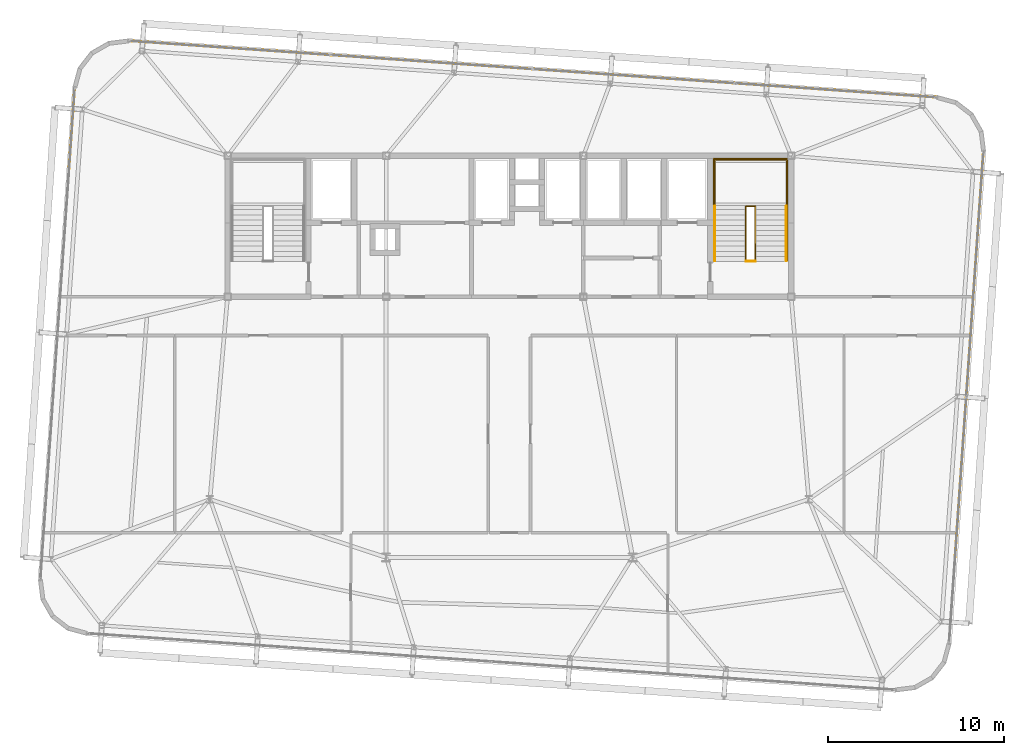
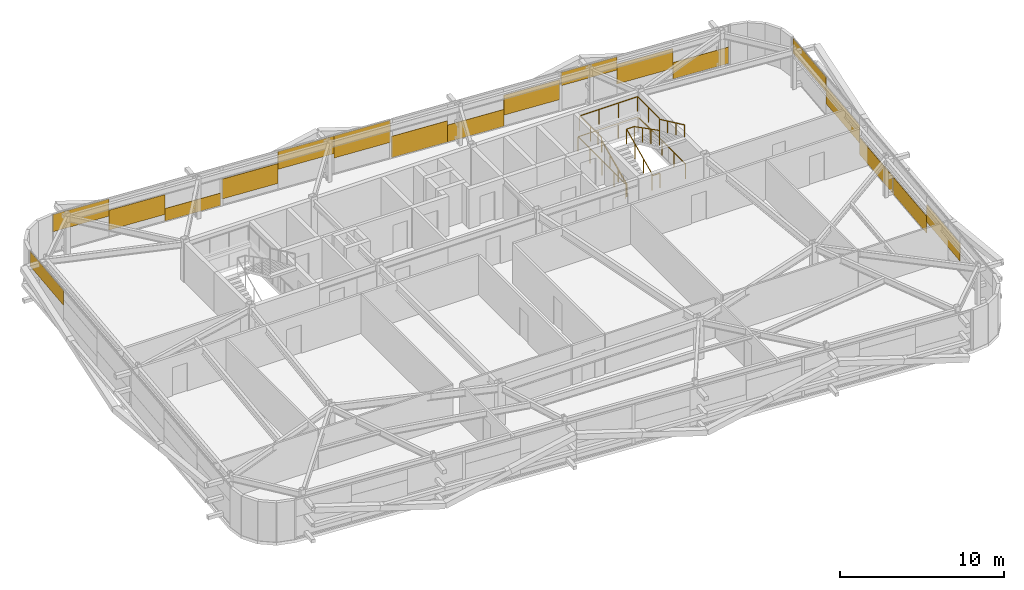
# One storey, part 39 of 39: 18 coverings, 6 railings.
"""IFC4 building model written with IfcOpenShell, lengths in metres."""

from ifc_helpers import new_model, si_unit, direction, frame, origin, origin_2d, place, context, subcontext, project, spatial, rectangle, extrude, source, transform, mapped, material, layer, layer_set, type_object, element, save


model = new_model("IFC4")

# Units and contexts
model_context = context("Model", 3, precision=1e-05, world=origin(), true_north=direction((0.0, 1.0)))
body_context = subcontext(model_context, "Body", "Model", "MODEL_VIEW")
ifc_project = project(units=[si_unit("LENGTHUNIT", "METRE"), si_unit("AREAUNIT", "SQUARE_METRE"), si_unit("VOLUMEUNIT", "CUBIC_METRE"), si_unit("PLANEANGLEUNIT", "RADIAN"), si_unit("MASSUNIT", "GRAM", prefix="KILO")], contexts=[model_context])

# Site, building, storey
site_placement = place(None, origin())
site = spatial("IfcSite", under=ifc_project, at=site_placement, CompositionType="ELEMENT")
building_placement = place(site_placement, origin())
building = spatial("IfcBuilding", under=site, at=building_placement, Name="Taldren Reach Tower", CompositionType="ELEMENT")
storey_placement = place(building_placement, frame((0.0, 0.0, 129.85009765625)))
storey = spatial("IfcBuildingStorey", under=building, at=storey_placement, Name="L39", CompositionType="ELEMENT", Elevation=129.85009765625)

# Railings
ifc_material_1 = material(Name="Steel Gr 350 (C350L0)", Category="steel")
ifc_layer_1 = layer(ifc_material_1, 0.050048828125)
ifc_layer_set_1 = layer_set([ifc_layer_1], Name="Steel Gr 350 (C350L0)")
railing_type_1 = type_object("IfcRailingType", Name="RL-STAIR-GR", PredefinedType="GUARDRAIL", material=ifc_layer_set_1)
railing_1_placement = place(storey_placement, frame((46.659912109375, 29.135009765625, 1.574951171875)))
element("IfcRailing", 1, at=railing_1_placement, inside=storey, type_object=railing_type_1, Name="Stair half-landing perimeter guard ST2-L39", PredefinedType="GUARDRAIL", context=body_context, shape_type="SweptSolid", body=[
    extrude(rectangle(XDim=0.047852, YDim=0.047852, at=origin_2d()), frame((0.0, 0.0, 1.09619140625), z_axis=(0.0, 1.0, 0.0), x_axis=(-1.0, 0.0, 0.0)), (0.0, 0.0, 1.0), 2.64501953125),
    extrude(rectangle(XDim=0.047852, YDim=0.047852, at=origin_2d()), frame((0.0, 2.64501953125, 1.09619140625), z_axis=(1.0, 0.0, 0.0), x_axis=(0.0, 1.0, 0.0)), (0.0, 0.0, 1.0), 4.080078125),
    extrude(rectangle(XDim=0.047852, YDim=0.047852, at=origin_2d()), frame((4.080078125, 2.64501953125, 1.09619140625), z_axis=(0.0, -1.0, 0.0), x_axis=(1.0, 0.0, 0.0)), (0.0, 0.0, 1.0), 2.64501953125),
    extrude(rectangle(XDim=0.041992, YDim=0.041992, at=origin_2d()), origin(), (0.0, 0.0, 1.0), 1.072021484375),
    extrude(rectangle(XDim=0.041992, YDim=0.041992, at=origin_2d()), frame((0.0, 1.322509765625, 0.0)), (0.0, 0.0, 1.0), 1.072021484375),
    extrude(rectangle(XDim=0.041992, YDim=0.041992, at=origin_2d()), frame((0.0, 2.64501953125, 0.0)), (0.0, 0.0, 1.0), 1.072021484375),
    extrude(rectangle(XDim=0.041992, YDim=0.041992, at=origin_2d()), frame((1.360107421875, 2.64501953125, 0.0)), (0.0, 0.0, 1.0), 1.072021484375),
    extrude(rectangle(XDim=0.041992, YDim=0.041992, at=origin_2d()), frame((2.719970703125, 2.64501953125, 0.0)), (0.0, 0.0, 1.0), 1.072021484375),
    extrude(rectangle(XDim=0.041992, YDim=0.041992, at=origin_2d()), frame((4.080078125, 2.64501953125, 0.0)), (0.0, 0.0, 1.0), 1.072021484375),
    extrude(rectangle(XDim=0.041992, YDim=0.041992, at=origin_2d()), frame((4.080078125, 1.322509765625, 0.0)), (0.0, 0.0, 1.0), 1.072021484375),
    extrude(rectangle(XDim=0.041992, YDim=0.041992, at=origin_2d()), frame((4.080078125, 0.0, 0.0)), (0.0, 0.0, 1.0), 1.072021484375),
])
railing_2_placement = place(storey_placement, frame((48.429931640625, 26.050048828125, 0.131103515625)))
element("IfcRailing", 2, at=railing_2_placement, inside=storey, type_object=railing_type_1, Name="Stairwell inner guard ST2-L39", PredefinedType="GUARDRAIL", context=body_context, shape_type="SweptSolid", body=[
    extrude(rectangle(XDim=0.047852, YDim=0.047852, at=origin_2d()), frame((0.0, 0.0, 1.09619140625), z_axis=(0.0, 0.905710134349, 0.423897573167), x_axis=(-1.0, 0.0, 0.0)), (0.0, 0.0, 1.0), 3.406005859375),
    extrude(rectangle(XDim=0.047852, YDim=0.047852, at=origin_2d()), frame((0.0, 3.0849609375, 2.5400390625), z_axis=(1.0, 0.0, 0.0), x_axis=(0.0, 1.0, 0.0)), (0.0, 0.0, 1.0), 0.5400390625),
    extrude(rectangle(XDim=0.047852, YDim=0.047852, at=origin_2d()), frame((0.5400390625, 3.0849609375, 2.5400390625), z_axis=(0.0, -0.890645957773, 0.45469745755), x_axis=(1.0, 0.0, 0.0)), (0.0, 0.0, 1.0), 3.463623046875),
    extrude(rectangle(XDim=0.041992, YDim=0.041992, at=origin_2d()), origin(), (0.0, 0.0, 1.0), 1.072021484375),
    extrude(rectangle(XDim=0.041992, YDim=0.041992, at=origin_2d()), frame((0.0, 1.0283203125, 0.481201171875)), (0.0, 0.0, 1.0), 1.072021484375),
    extrude(rectangle(XDim=0.041992, YDim=0.041992, at=origin_2d()), frame((0.0, 2.056640625, 0.962646484375)), (0.0, 0.0, 1.0), 1.072021484375),
    extrude(rectangle(XDim=0.041992, YDim=0.041992, at=origin_2d()), frame((0.0, 3.0849609375, 1.44384765625)), (0.0, 0.0, 1.0), 1.072021484375),
    extrude(rectangle(XDim=0.041992, YDim=0.041992, at=origin_2d()), frame((0.5400390625, 3.0849609375, 1.44384765625)), (0.0, 0.0, 1.0), 1.072021484375),
    extrude(rectangle(XDim=0.041992, YDim=0.041992, at=origin_2d()), frame((0.5400390625, 2.056640625, 1.96875)), (0.0, 0.0, 1.0), 1.072021484375),
    extrude(rectangle(XDim=0.041992, YDim=0.041992, at=origin_2d()), frame((0.5400390625, 1.0283203125, 2.493896484375)), (0.0, 0.0, 1.0), 1.072021484375),
    extrude(rectangle(XDim=0.041992, YDim=0.041992, at=origin_2d()), frame((0.5400390625, 0.0, 3.018798828125)), (0.0, 0.0, 1.0), 1.072021484375),
])
railing_3_placement = place(storey_placement, frame((48.429931640625, 26.010009765625, 0.0)))
element("IfcRailing", 3, at=railing_3_placement, inside=storey, type_object=railing_type_1, Name="Stairwell landing slot guard ST2-L39", PredefinedType="GUARDRAIL", context=body_context, shape_type="SweptSolid", body=[
    extrude(rectangle(XDim=0.047852, YDim=0.047852, at=origin_2d()), frame((0.0, 0.0, 1.09619140625), z_axis=(1.0, 0.0, 0.0), x_axis=(0.0, 1.0, 0.0)), (0.0, 0.0, 1.0), 0.5400390625),
    extrude(rectangle(XDim=0.041992, YDim=0.041992, at=origin_2d()), origin(), (0.0, 0.0, 1.0), 1.072021484375),
    extrude(rectangle(XDim=0.041992, YDim=0.041992, at=origin_2d()), frame((0.5400390625, 0.0, 0.0)), (0.0, 0.0, 1.0), 1.072021484375),
])
railing_4_placement = place(storey_placement, frame((46.590087890625, 26.050048828125, 0.0)))
element("IfcRailing", 4, at=railing_4_placement, inside=storey, type_object=railing_type_1, Name="Stairwell floor opening guard ST2-L39", PredefinedType="GUARDRAIL", context=body_context, shape_type="SweptSolid", body=[
    extrude(rectangle(XDim=0.047852, YDim=0.047852, at=origin_2d()), frame((0.0, 0.0, 1.09619140625), z_axis=(0.0, 1.0, 0.0), x_axis=(-1.0, 0.0, 0.0)), (0.0, 0.0, 1.0), 5.800048828125),
    extrude(rectangle(XDim=0.047852, YDim=0.047852, at=origin_2d()), frame((0.0, 5.800048828125, 1.09619140625), z_axis=(1.0, 0.0, 0.0), x_axis=(0.0, 1.0, 0.0)), (0.0, 0.0, 1.0), 4.219970703125),
    extrude(rectangle(XDim=0.047852, YDim=0.047852, at=origin_2d()), frame((4.219970703125, 5.800048828125, 1.09619140625), z_axis=(0.0, -1.0, 0.0), x_axis=(1.0, 0.0, 0.0)), (0.0, 0.0, 1.0), 5.800048828125),
    extrude(rectangle(XDim=0.041992, YDim=0.041992, at=origin_2d()), origin(), (0.0, 0.0, 1.0), 1.072021484375),
    extrude(rectangle(XDim=0.041992, YDim=0.041992, at=origin_2d()), frame((0.0, 1.449951171875, 0.0)), (0.0, 0.0, 1.0), 1.072021484375),
    extrude(rectangle(XDim=0.041992, YDim=0.041992, at=origin_2d()), frame((0.0, 2.89990234375, 0.0)), (0.0, 0.0, 1.0), 1.072021484375),
    extrude(rectangle(XDim=0.041992, YDim=0.041992, at=origin_2d()), frame((0.0, 4.35009765625, 0.0)), (0.0, 0.0, 1.0), 1.072021484375),
    extrude(rectangle(XDim=0.041992, YDim=0.041992, at=origin_2d()), frame((0.0, 5.800048828125, 0.0)), (0.0, 0.0, 1.0), 1.072021484375),
    extrude(rectangle(XDim=0.041992, YDim=0.041992, at=origin_2d()), frame((1.40673828125, 5.800048828125, 0.0)), (0.0, 0.0, 1.0), 1.072021484375),
    extrude(rectangle(XDim=0.041992, YDim=0.041992, at=origin_2d()), frame((2.813232421875, 5.800048828125, 0.0)), (0.0, 0.0, 1.0), 1.072021484375),
    extrude(rectangle(XDim=0.041992, YDim=0.041992, at=origin_2d()), frame((4.219970703125, 5.800048828125, 0.0)), (0.0, 0.0, 1.0), 1.072021484375),
    extrude(rectangle(XDim=0.041992, YDim=0.041992, at=origin_2d()), frame((4.219970703125, 4.35009765625, 0.0)), (0.0, 0.0, 1.0), 1.072021484375),
    extrude(rectangle(XDim=0.041992, YDim=0.041992, at=origin_2d()), frame((4.219970703125, 2.89990234375, 0.0)), (0.0, 0.0, 1.0), 1.072021484375),
    extrude(rectangle(XDim=0.041992, YDim=0.041992, at=origin_2d()), frame((4.219970703125, 1.449951171875, 0.0)), (0.0, 0.0, 1.0), 1.072021484375),
    extrude(rectangle(XDim=0.041992, YDim=0.041992, at=origin_2d()), frame((4.219970703125, 0.0, 0.0)), (0.0, 0.0, 1.0), 1.072021484375),
])
ifc_material_2 = material(Name="Stainless Steel Gr 316", Category="steel")
ifc_layer_2 = layer(ifc_material_2, 0.048095703125)
ifc_layer_set_2 = layer_set([ifc_layer_2], Name="Stainless Steel Gr 316")
railing_type_2 = type_object("IfcRailingType", Name="RL-STAIR-HR", PredefinedType="HANDRAIL", material=ifc_layer_set_2)
railing_5_placement = place(storey_placement, frame((46.669921875, 26.050048828125, 0.131103515625)))
element("IfcRailing", 5, at=railing_5_placement, inside=storey, type_object=railing_type_2, Name="Stair flight handrail ST2-L39-1", PredefinedType="HANDRAIL", context=body_context, shape_type="SweptSolid", body=[
    extrude(rectangle(XDim=0.047852, YDim=0.047852, at=origin_2d()), frame((0.0, 0.0, 0.89599609375), z_axis=(0.0, 0.905710134349, 0.423897573167), x_axis=(-1.0, 0.0, 0.0)), (0.0, 0.0, 1.0), 3.406005859375),
    extrude(rectangle(XDim=0.041992, YDim=0.041992, at=origin_2d()), origin(), (0.0, 0.0, 1.0), 0.871826171875),
    extrude(rectangle(XDim=0.041992, YDim=0.041992, at=origin_2d()), frame((0.0, 1.0283203125, 0.481201171875)), (0.0, 0.0, 1.0), 0.871826171875),
    extrude(rectangle(XDim=0.041992, YDim=0.041992, at=origin_2d()), frame((0.0, 2.056640625, 0.962646484375)), (0.0, 0.0, 1.0), 0.871826171875),
    extrude(rectangle(XDim=0.041992, YDim=0.041992, at=origin_2d()), frame((0.0, 3.0849609375, 1.44384765625)), (0.0, 0.0, 1.0), 0.871826171875),
])
railing_6_placement = place(storey_placement, frame((50.72998046875, 29.135009765625, 1.706298828125)))
element("IfcRailing", 6, at=railing_6_placement, inside=storey, type_object=railing_type_2, Name="Stair flight handrail ST2-L39-2", PredefinedType="HANDRAIL", context=body_context, shape_type="SweptSolid", body=[
    extrude(rectangle(XDim=0.047852, YDim=0.047852, at=origin_2d()), frame((0.0, 0.0, 0.89599609375), z_axis=(0.0, -0.905737652094, 0.423838773095), x_axis=(1.0, 0.0, 0.0)), (0.0, 0.0, 1.0), 3.406005859375),
    extrude(rectangle(XDim=0.041992, YDim=0.041992, at=origin_2d()), origin(), (0.0, 0.0, 1.0), 0.871826171875),
    extrude(rectangle(XDim=0.041992, YDim=0.041992, at=origin_2d()), frame((0.0, -1.0283203125, 0.481201171875)), (0.0, 0.0, 1.0), 0.871826171875),
    extrude(rectangle(XDim=0.041992, YDim=0.041992, at=origin_2d()), frame((0.0, -2.056640625, 0.96240234375)), (0.0, 0.0, 1.0), 0.871826171875),
    extrude(rectangle(XDim=0.041992, YDim=0.041992, at=origin_2d()), frame((0.0, -3.0849609375, 1.443603515625)), (0.0, 0.0, 1.0), 0.871826171875),
])

# Coverings
ifc_material_3 = material(Name="Pale Champagne Fluoropolymer Aluminium Spandrel Cladding", Category="aluminium")
ifc_layer_3 = layer(ifc_material_3, 0.0439453125)
ifc_layer_set_3 = layer_set([ifc_layer_3], Name="Pale Champagne Fluoropolymer Aluminium Spandrel Cladding")
covering_type = type_object("IfcCoveringType", Name="CV-CLAD-044", PredefinedType="CLADDING", material=ifc_layer_set_3)
shared_shape_1 = source(origin(), body_context, "Body", "SweptSolid", [
    extrude(rectangle(XDim=3.79833984375, YDim=0.0439453125, at=origin_2d()), origin(), (0.0, 0.0, 1.0), 1.22216796875),
])
covering_1_placement = place(storey_placement, frame((57.3056640625, 35.451904296875, 0.054931640625), z_axis=(0.0, 0.0, 1.0), x_axis=(-0.99756404731, 0.06975651593, 0.0)))
element("IfcCovering", 7, at=covering_1_placement, inside=storey, type_object=covering_type, Name="Diagrid closure cladding strip CW-4 panel 1.1 1", PredefinedType="CLADDING", context=body_context, shape_type="MappedRepresentation", body=[
    mapped(shared_shape_1, transform((0.0, 0.0, 0.0), scale=1.0)),
])
shared_shape_2 = source(origin(), body_context, "Body", "SweptSolid", [
    extrude(rectangle(XDim=3.79833984375, YDim=0.0439453125, at=origin_2d()), origin(), (0.0, 0.0, 1.0), 1.474365234375),
])
for number, where, z_axis, x_axis, name in (
    (8, (53.5166015625, 35.716796875, 0.84228515625), (0.0, 0.0, 1.0), (-0.99756404731, 0.06975651593, 0.0), "Diagrid closure cladding strip CW-4 panel 1.1 2"),
    (9, (19.135498046875, 38.12109375, 0.55322265625), (0.0, 0.0, 1.0), (-0.99756404731, 0.06975651593, 0.0), "Diagrid closure cladding strip CW-4 panel 4.1 2"),
):
    element("IfcCovering", number, at=place(storey_placement, frame(where, z_axis=z_axis, x_axis=x_axis)), inside=storey, type_object=covering_type, Name=name, PredefinedType="CLADDING", context=body_context, shape_type="MappedRepresentation", body=[
        mapped(shared_shape_2, transform((0.0, 0.0, 0.0), scale=1.0)),
    ])
shared_shape_3 = source(origin(), body_context, "Body", "SweptSolid", [
    extrude(rectangle(XDim=3.79833984375, YDim=0.0439453125, at=origin_2d()), origin(), (0.0, 0.0, 1.0), 0.993408203125),
])
covering_2_placement = place(storey_placement, frame((49.7275390625, 35.981689453125, 1.88134765625), z_axis=(0.0, 0.0, 1.0), x_axis=(-0.99756404731, 0.06975651593, 0.0)))
element("IfcCovering", 10, at=covering_2_placement, inside=storey, type_object=covering_type, Name="Diagrid closure cladding strip CW-4 panel 1.1 3", PredefinedType="CLADDING", context=body_context, shape_type="MappedRepresentation", body=[
    mapped(shared_shape_3, transform((0.0, 0.0, 0.0), scale=1.0)),
])
shared_shape_4 = source(origin(), body_context, "Body", "SweptSolid", [
    extrude(rectangle(XDim=3.81005859375, YDim=0.0439453125, at=origin_2d()), origin(), (0.0, 0.0, 1.0), 1.477783203125),
])
for number, where, z_axis, x_axis, name in (
    (11, (45.86279296875, 36.251953125, 0.88232421875), (0.0, 0.0, 1.0), (-0.99756404731, 0.06975651593, 0.0), "Diagrid closure cladding strip CW-4 panel 2.1 1"),
    (12, (26.789306640625, 37.585693359375, 0.509765625), (0.0, 0.0, 1.0), (-0.99756404731, 0.06975651593, 0.0), "Diagrid closure cladding strip CW-4 panel 3.1 3"),
):
    element("IfcCovering", number, at=place(storey_placement, frame(where, z_axis=z_axis, x_axis=x_axis)), inside=storey, type_object=covering_type, Name=name, PredefinedType="CLADDING", context=body_context, shape_type="MappedRepresentation", body=[
        mapped(shared_shape_4, transform((0.0, 0.0, 0.0), scale=1.0)),
    ])
shared_shape_5 = source(origin(), body_context, "Body", "SweptSolid", [
    extrude(rectangle(XDim=3.81005859375, YDim=0.0439453125, at=origin_2d()), origin(), (0.0, 0.0, 1.0), 1.26220703125),
])
covering_3_placement = place(storey_placement, frame((42.06201171875, 36.517822265625, 0.054931640625), z_axis=(0.0, 0.0, 1.0), x_axis=(-0.99756404731, 0.06975651593, 0.0)))
element("IfcCovering", 13, at=covering_3_placement, inside=storey, type_object=covering_type, Name="Diagrid closure cladding strip CW-4 panel 2.1 2", PredefinedType="CLADDING", context=body_context, shape_type="MappedRepresentation", body=[
    mapped(shared_shape_5, transform((0.0, 0.0, 0.0), scale=1.0)),
])
shared_shape_6 = source(origin(), body_context, "Body", "SweptSolid", [
    extrude(rectangle(XDim=3.81005859375, YDim=0.0439453125, at=origin_2d()), origin(), (0.0, 0.0, 1.0), 1.587890625),
])
covering_4_placement = place(storey_placement, frame((38.261474609375, 36.78369140625, 0.054931640625), z_axis=(0.0, 0.0, 1.0), x_axis=(-0.99756404731, 0.06975651593, 0.0)))
element("IfcCovering", 14, at=covering_4_placement, inside=storey, type_object=covering_type, Name="Diagrid closure cladding strip CW-4 panel 2.1 3", PredefinedType="CLADDING", context=body_context, shape_type="MappedRepresentation", body=[
    mapped(shared_shape_6, transform((0.0, 0.0, 0.0), scale=1.0)),
])
shared_shape_7 = source(origin(), body_context, "Body", "SweptSolid", [
    extrude(rectangle(XDim=3.81005859375, YDim=0.0439453125, at=origin_2d()), origin(), (0.0, 0.0, 1.0), 1.64794921875),
])
covering_5_placement = place(storey_placement, frame((34.390869140625, 37.05419921875, 1.22705078125), z_axis=(0.0, 0.0, 1.0), x_axis=(-0.99756404731, 0.06975651593, 0.0)))
element("IfcCovering", 15, at=covering_5_placement, inside=storey, type_object=covering_type, Name="Diagrid closure cladding strip CW-4 panel 3.1 1", PredefinedType="CLADDING", context=body_context, shape_type="MappedRepresentation", body=[
    mapped(shared_shape_7, transform((0.0, 0.0, 0.0), scale=1.0)),
])
shared_shape_8 = source(origin(), body_context, "Body", "SweptSolid", [
    extrude(rectangle(XDim=3.81005859375, YDim=0.0439453125, at=origin_2d()), origin(), (0.0, 0.0, 1.0), 1.322265625),
])
covering_6_placement = place(storey_placement, frame((30.590087890625, 37.320068359375, 1.552490234375), z_axis=(0.0, 0.0, 1.0), x_axis=(-0.99756404731, 0.06975651593, 0.0)))
element("IfcCovering", 16, at=covering_6_placement, inside=storey, type_object=covering_type, Name="Diagrid closure cladding strip CW-4 panel 3.1 2", PredefinedType="CLADDING", context=body_context, shape_type="MappedRepresentation", body=[
    mapped(shared_shape_8, transform((0.0, 0.0, 0.0), scale=1.0)),
])
shared_shape_9 = source(origin(), body_context, "Body", "SweptSolid", [
    extrude(rectangle(XDim=3.79833984375, YDim=0.0439453125, at=origin_2d()), origin(), (0.0, 0.0, 1.0), 0.93359375),
])
covering_7_placement = place(storey_placement, frame((22.924560546875, 37.85595703125, 0.054931640625), z_axis=(0.0, 0.0, 1.0), x_axis=(-0.99756404731, 0.06975651593, 0.0)))
element("IfcCovering", 17, at=covering_7_placement, inside=storey, type_object=covering_type, Name="Diagrid closure cladding strip CW-4 panel 4.1 1", PredefinedType="CLADDING", context=body_context, shape_type="MappedRepresentation", body=[
    mapped(shared_shape_9, transform((0.0, 0.0, 0.0), scale=1.0)),
])
shared_shape_10 = source(origin(), body_context, "Body", "SweptSolid", [
    extrude(rectangle(XDim=3.79833984375, YDim=0.0439453125, at=origin_2d()), origin(), (0.0, 0.0, 1.0), 1.2822265625),
])
covering_8_placement = place(storey_placement, frame((15.346435546875, 38.385986328125, 1.5927734375), z_axis=(0.0, 0.0, 1.0), x_axis=(-0.99756404731, 0.06975651593, 0.0)))
element("IfcCovering", 18, at=covering_8_placement, inside=storey, type_object=covering_type, Name="Diagrid closure cladding strip CW-4 panel 4.1 3", PredefinedType="CLADDING", context=body_context, shape_type="MappedRepresentation", body=[
    mapped(shared_shape_10, transform((0.0, 0.0, 0.0), scale=1.0)),
])
shared_shape_11 = source(origin(), body_context, "Body", "SweptSolid", [
    extrude(rectangle(XDim=4.631591796875, YDim=0.0439453125, at=origin_2d()), origin(), (0.0, 0.0, 1.0), 1.306640625),
])
for number, where, z_axis, x_axis, name in (
    (19, (60.4599609375, 11.33056640625, 0.89208984375), (0.0, 0.0, 1.0), (0.069756437251, 0.997564052812, 0.0), "Diagrid closure cladding strip CW-4 panel 1.1 2"),
    (20, (61.43408203125, 25.261474609375, 0.89208984375), (0.0, 0.0, 1.0), (0.069756437251, 0.997564052812, 0.0), "Diagrid closure cladding strip CW-4 panel 2.1 2"),
):
    element("IfcCovering", number, at=place(storey_placement, frame(where, z_axis=z_axis, x_axis=x_axis)), inside=storey, type_object=covering_type, Name=name, PredefinedType="CLADDING", context=body_context, shape_type="MappedRepresentation", body=[
        mapped(shared_shape_11, transform((0.0, 0.0, 0.0), scale=1.0)),
    ])
shared_shape_12 = source(origin(), body_context, "Body", "SweptSolid", [
    extrude(rectangle(XDim=4.631591796875, YDim=0.0439453125, at=origin_2d()), origin(), (0.0, 0.0, 1.0), 1.103515625),
])
for number, where, z_axis, x_axis, name in (
    (21, (10.1630859375, 33.48974609375, 1.771484375), (0.0, 0.0, 1.0), (-0.069756437251, -0.997564052812, 0.0), "Diagrid closure cladding strip CW-4 panel 1.1 1"),
    (22, (61.757080078125, 29.882080078125, 1.771484375), (0.0, 0.0, 1.0), (0.069756437251, 0.997564052812, 0.0), "Diagrid closure cladding strip CW-4 panel 2.1 3"),
):
    element("IfcCovering", number, at=place(storey_placement, frame(where, z_axis=z_axis, x_axis=x_axis)), inside=storey, type_object=covering_type, Name=name, PredefinedType="CLADDING", context=body_context, shape_type="MappedRepresentation", body=[
        mapped(shared_shape_12, transform((0.0, 0.0, 0.0), scale=1.0)),
    ])
shared_shape_13 = source(origin(), body_context, "Body", "SweptSolid", [
    extrude(rectangle(XDim=4.631591796875, YDim=0.0439453125, at=origin_2d()), origin(), (0.0, 0.0, 1.0), 1.2646484375),
])
for number, where, z_axis, x_axis, name in (
    (23, (60.782958984375, 15.950927734375, 0.054931640625), (0.0, 0.0, 1.0), (0.069756437251, 0.997564052812, 0.0), "Diagrid closure cladding strip CW-4 panel 1.1 3"),
    (24, (61.111083984375, 20.64111328125, 0.054931640625), (0.0, 0.0, 1.0), (0.069756437251, 0.997564052812, 0.0), "Diagrid closure cladding strip CW-4 panel 2.1 1"),
):
    element("IfcCovering", number, at=place(storey_placement, frame(where, z_axis=z_axis, x_axis=x_axis)), inside=storey, type_object=covering_type, Name=name, PredefinedType="CLADDING", context=body_context, shape_type="MappedRepresentation", body=[
        mapped(shared_shape_13, transform((0.0, 0.0, 0.0), scale=1.0)),
    ])

save(model, "model.ifc")
